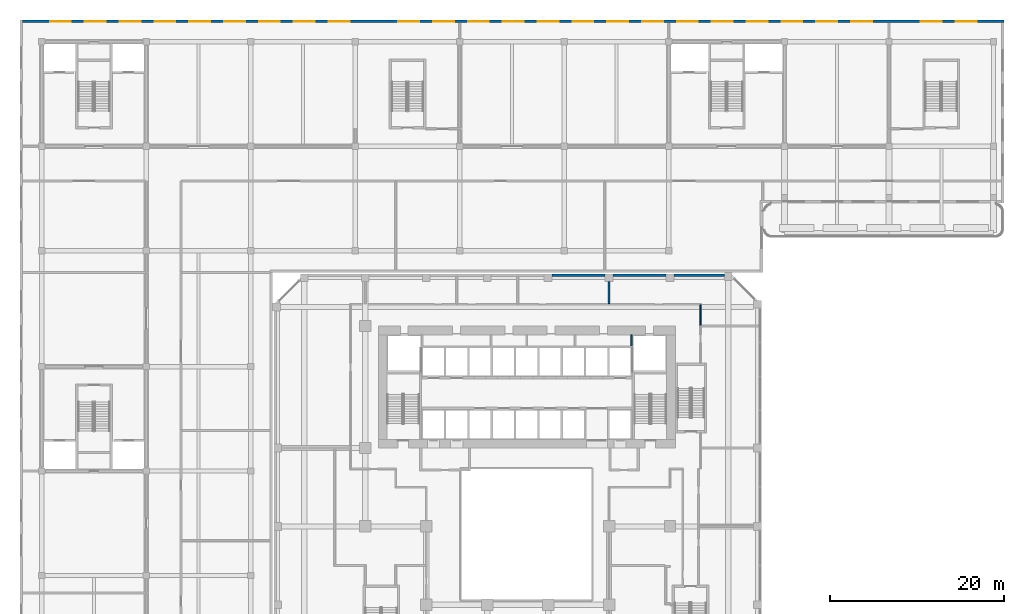
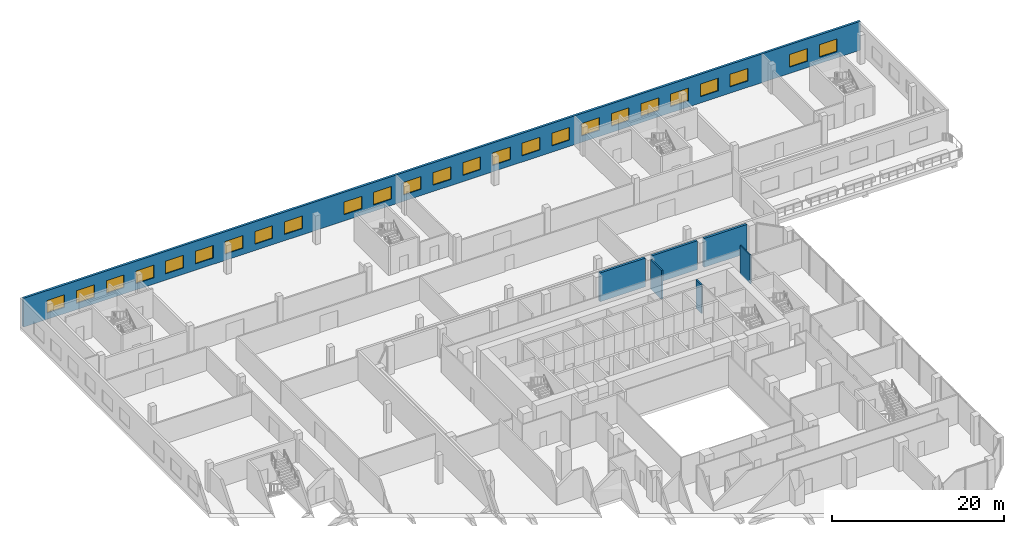
# One storey, part 24 of 36: 25 windows, 7 walls, 25 openings.
"""IFC4 building model written with IfcOpenShell, lengths in metres."""

from ifc_helpers import new_model, si_unit, direction, frame, frame_2d, origin, place, context, subcontext, project, spatial, rectangle, extrude, source, transform, mapped, material, layer, layer_set, type_object, element, fill, save


model = new_model("IFC4")

# Units and contexts
model_context = context("Model", 3, precision=1e-05, world=origin(), true_north=direction((0.0, 1.0)))
body_context = subcontext(model_context, "Body", "Model", "MODEL_VIEW")
ifc_project = project(units=[si_unit("LENGTHUNIT", "METRE"), si_unit("AREAUNIT", "SQUARE_METRE"), si_unit("VOLUMEUNIT", "CUBIC_METRE"), si_unit("PLANEANGLEUNIT", "RADIAN"), si_unit("MASSUNIT", "GRAM", prefix="KILO")], contexts=[model_context])

# Site, building, storey
site_placement = place(None, origin())
site = spatial("IfcSite", under=ifc_project, at=site_placement, CompositionType="ELEMENT")
building_placement = place(site_placement, origin())
building = spatial("IfcBuilding", under=site, at=building_placement, Name="Kilnfold Tower and Market Hall", CompositionType="ELEMENT")
storey_placement = place(building_placement, frame((0.0, 0.0, 18.0)))
storey = spatial("IfcBuildingStorey", under=building, at=storey_placement, Name="L03", CompositionType="ELEMENT", Elevation=18.0)

# Walls
ifc_material_1 = material(Name="Gypsum board on steel studs", Category="steel")
ifc_layer_1 = layer(ifc_material_1, 0.14990234375)
ifc_layer_set_1 = layer_set([ifc_layer_1], Name="Gypsum board on steel studs")
wall_type_1 = type_object("IfcWallType", Name="WALL CORRIDOR 150", PredefinedType="PARTITIONING", material=ifc_layer_set_1)
wall_1_placement = place(storey_placement, frame((21.0, 22.090087890625, 0.0), z_axis=(0.0, 0.0, 1.0), x_axis=(0.0, 1.0, 0.0)))
element("IfcWall", 1, at=wall_1_placement, inside=storey, type_object=wall_type_1, Name="Partition LY04.33", PredefinedType="PARTITIONING", context=body_context, shape_type="SweptSolid", body=[
    extrude(rectangle(XDim=2.3349609375, YDim=0.14990234375, at=frame_2d((1.16748046875, 0.0))), origin(), (0.0, 0.0, 1.0), 4.10009765625),
])
ifc_material_2 = material(Name="Gypsum board on steel studs", Category="steel")
ifc_layer_2 = layer(ifc_material_2, 0.199951171875)
ifc_layer_set_2 = layer_set([ifc_layer_2], Name="Gypsum board on steel studs")
wall_type_2 = type_object("IfcWallType", Name="WALL PARTY 200", PredefinedType="PARTITIONING", material=ifc_layer_set_2)
wall_2_placement = place(storey_placement, frame((10.5, 27.10009765625, 0.0), z_axis=(0.0, 0.0, 1.0), x_axis=(0.0, -1.0, 0.0)))
element("IfcWall", 2, at=wall_2_placement, inside=storey, type_object=wall_type_2, Name="Partition LY04.62", PredefinedType="PARTITIONING", context=body_context, shape_type="SweptSolid", body=[
    extrude(rectangle(XDim=2.524169921875, YDim=0.199951171875, at=frame_2d((1.26220703125, 0.0))), origin(), (0.0, 0.0, 1.0), 4.10009765625),
])
ifc_material_3 = material(Name="Precast concrete C50/60", Category="concrete")
ifc_layer_3 = layer(ifc_material_3, 0.300048828125)
ifc_layer_set_3 = layer_set([ifc_layer_3], Name="Precast concrete C50/60")
wall_type_3 = type_object("IfcWallType", Name="PRECAST WALL 300", PredefinedType="SOLIDWALL", material=ifc_layer_set_3)
shared_shape_1 = source(origin(), body_context, "Body", "SweptSolid", [
    extrude(rectangle(XDim=5.78173828125, YDim=0.300048828125, at=frame_2d((2.890869140625, 0.0))), origin(), (0.0, 0.0, 1.0), 4.10009765625),
])
wall_3_placement = place(storey_placement, frame((23.731689453125, 27.85009765625, 0.0), z_axis=(0.0, 0.0, 1.0), x_axis=(-1.0, 0.0, 0.0)))
element("IfcWall", 3, at=wall_3_placement, inside=storey, type_object=wall_type_3, Name="Party wall L03 N", PredefinedType="SOLIDWALL", context=body_context, shape_type="MappedRepresentation", body=[
    mapped(shared_shape_1, transform((0.0, 0.0, 0.0))),
])
shared_shape_2 = source(origin(), body_context, "Body", "SweptSolid", [
    extrude(rectangle(XDim=6.10009765625, YDim=0.300048828125, at=frame_2d((3.050048828125, 0.0))), origin(), (0.0, 0.0, 1.0), 4.10009765625),
])
for number, where, z_axis, x_axis, name in (
    (4, (17.050048828125, 27.85009765625, 0.0), (0.0, 0.0, 1.0), (-1.0, 0.0, 0.0), "Party wall L03 N"),
    (5, (10.050048828125, 27.85009765625, 0.0), (0.0, 0.0, 1.0), (-1.0, 0.0, 0.0), "Party wall L03 N"),
):
    element("IfcWall", number, at=place(storey_placement, frame(where, z_axis=z_axis, x_axis=x_axis)), inside=storey, type_object=wall_type_3, Name=name, PredefinedType="SOLIDWALL", context=body_context, shape_type="MappedRepresentation", body=[
        mapped(shared_shape_2, transform((0.0, 0.0, 0.0))),
    ])

# Wall, openings, windows
ifc_material_4 = material(Name="Concrete blockwork", Category="masonry")
ifc_layer_4 = layer(ifc_material_4, 0.300048828125)
ifc_layer_set_4 = layer_set([ifc_layer_4], Name="Concrete blockwork")
wall_type_4 = type_object("IfcWallType", Name="HALL EXTERNAL WALL 300 EI 60", PredefinedType="SOLIDWALL", material=ifc_layer_set_4)
shared_shape_3 = source(origin(), body_context, "Body", "SweptSolid", [
    extrude(rectangle(XDim=112.7001953125, YDim=0.300048828125, at=frame_2d((56.35009765625, 0.0))), origin(), (0.0, 0.0, 1.0), 4.10009765625),
])
wall_4_placement = place(storey_placement, frame((-56.85009765625, 57.0, 0.0), z_axis=(0.0, 0.0, 1.0), x_axis=(1.0, 0.0, 0.0)))
wall_4 = element("IfcWall", 6, at=wall_4_placement, inside=storey, type_object=wall_type_4, Name="External wall MEW-L03.2", PredefinedType="SOLIDWALL", context=body_context, shape_type="MappedRepresentation", body=[
    mapped(shared_shape_3, transform((0.0, 0.0, 0.0))),
])
opening_1_placement = place(wall_4_placement, frame((3.14990234375, 0.0, 0.89990234375)))
opening_1 = element("IfcOpeningElement", 7, at=opening_1_placement, cuts=wall_4, Name="Opening MEN3", PredefinedType="OPENING", context=body_context, shape_type="SweptSolid", body=[
    extrude(rectangle(XDim=2.39990234375, YDim=1.800048828125, at=frame_2d((1.199951171875, 0.89990234375))), frame((0.0, 0.16015625, 0.0), z_axis=(0.0, -1.0, 0.0), x_axis=(1.0, 0.0, 0.0)), (0.0, 0.0, 1.0), 0.320068359375),
])
opening_2_placement = place(wall_4_placement, frame((7.14990234375, 0.0, 0.89990234375)))
opening_2 = element("IfcOpeningElement", 8, at=opening_2_placement, cuts=wall_4, Name="Opening MEN3", PredefinedType="OPENING", context=body_context, shape_type="SweptSolid", body=[
    extrude(rectangle(XDim=2.39990234375, YDim=1.800048828125, at=frame_2d((1.199951171875, 0.89990234375))), frame((0.0, 0.16015625, 0.0), z_axis=(0.0, -1.0, 0.0), x_axis=(1.0, 0.0, 0.0)), (0.0, 0.0, 1.0), 0.320068359375),
])
opening_3_placement = place(wall_4_placement, frame((11.14990234375, 0.0, 0.89990234375)))
opening_3 = element("IfcOpeningElement", 9, at=opening_3_placement, cuts=wall_4, Name="Opening MEN3", PredefinedType="OPENING", context=body_context, shape_type="SweptSolid", body=[
    extrude(rectangle(XDim=2.39990234375, YDim=1.800048828125, at=frame_2d((1.199951171875, 0.89990234375))), frame((0.0, 0.16015625, 0.0), z_axis=(0.0, -1.0, 0.0), x_axis=(1.0, 0.0, 0.0)), (0.0, 0.0, 1.0), 0.320068359375),
])
opening_4_placement = place(wall_4_placement, frame((15.14990234375, 0.0, 0.89990234375)))
opening_4 = element("IfcOpeningElement", 10, at=opening_4_placement, cuts=wall_4, Name="Opening MEN3", PredefinedType="OPENING", context=body_context, shape_type="SweptSolid", body=[
    extrude(rectangle(XDim=2.39990234375, YDim=1.800048828125, at=frame_2d((1.199951171875, 0.89990234375))), frame((0.0, 0.16015625, 0.0), z_axis=(0.0, -1.0, 0.0), x_axis=(1.0, 0.0, 0.0)), (0.0, 0.0, 1.0), 0.320068359375),
])
opening_5_placement = place(wall_4_placement, frame((19.14990234375, 0.0, 0.89990234375)))
opening_5 = element("IfcOpeningElement", 11, at=opening_5_placement, cuts=wall_4, Name="Opening MEN3", PredefinedType="OPENING", context=body_context, shape_type="SweptSolid", body=[
    extrude(rectangle(XDim=2.39990234375, YDim=1.800048828125, at=frame_2d((1.199951171875, 0.89990234375))), frame((0.0, 0.16015625, 0.0), z_axis=(0.0, -1.0, 0.0), x_axis=(1.0, 0.0, 0.0)), (0.0, 0.0, 1.0), 0.320068359375),
])
opening_6_placement = place(wall_4_placement, frame((23.14990234375, 0.0, 0.89990234375)))
opening_6 = element("IfcOpeningElement", 12, at=opening_6_placement, cuts=wall_4, Name="Opening MEN3", PredefinedType="OPENING", context=body_context, shape_type="SweptSolid", body=[
    extrude(rectangle(XDim=2.39990234375, YDim=1.800048828125, at=frame_2d((1.199951171875, 0.89990234375))), frame((0.0, 0.16015625, 0.0), z_axis=(0.0, -1.0, 0.0), x_axis=(1.0, 0.0, 0.0)), (0.0, 0.0, 1.0), 0.320068359375),
])
opening_7_placement = place(wall_4_placement, frame((27.14990234375, 0.0, 0.89990234375)))
opening_7 = element("IfcOpeningElement", 13, at=opening_7_placement, cuts=wall_4, Name="Opening MEN3", PredefinedType="OPENING", context=body_context, shape_type="SweptSolid", body=[
    extrude(rectangle(XDim=2.39990234375, YDim=1.800048828125, at=frame_2d((1.199951171875, 0.89990234375))), frame((0.0, 0.16015625, 0.0), z_axis=(0.0, -1.0, 0.0), x_axis=(1.0, 0.0, 0.0)), (0.0, 0.0, 1.0), 0.320068359375),
])
opening_8_placement = place(wall_4_placement, frame((31.14990234375, 0.0, 0.89990234375)))
opening_8 = element("IfcOpeningElement", 14, at=opening_8_placement, cuts=wall_4, Name="Opening MEN3", PredefinedType="OPENING", context=body_context, shape_type="SweptSolid", body=[
    extrude(rectangle(XDim=2.39990234375, YDim=1.800048828125, at=frame_2d((1.199951171875, 0.89990234375))), frame((0.0, 0.16015625, 0.0), z_axis=(0.0, -1.0, 0.0), x_axis=(1.0, 0.0, 0.0)), (0.0, 0.0, 1.0), 0.320068359375),
])
opening_9_placement = place(wall_4_placement, frame((35.14990234375, 0.0, 0.89990234375)))
opening_9 = element("IfcOpeningElement", 15, at=opening_9_placement, cuts=wall_4, Name="Opening MEN3", PredefinedType="OPENING", context=body_context, shape_type="SweptSolid", body=[
    extrude(rectangle(XDim=2.39990234375, YDim=1.800048828125, at=frame_2d((1.199951171875, 0.89990234375))), frame((0.0, 0.16015625, 0.0), z_axis=(0.0, -1.0, 0.0), x_axis=(1.0, 0.0, 0.0)), (0.0, 0.0, 1.0), 0.320068359375),
])
opening_10_placement = place(wall_4_placement, frame((43.14990234375, 0.0, 0.89990234375)))
opening_10 = element("IfcOpeningElement", 16, at=opening_10_placement, cuts=wall_4, Name="Opening MEN3", PredefinedType="OPENING", context=body_context, shape_type="SweptSolid", body=[
    extrude(rectangle(XDim=2.39990234375, YDim=1.800048828125, at=frame_2d((1.199951171875, 0.89990234375))), frame((0.0, 0.16015625, 0.0), z_axis=(0.0, -1.0, 0.0), x_axis=(1.0, 0.0, 0.0)), (0.0, 0.0, 1.0), 0.320068359375),
])
opening_11_placement = place(wall_4_placement, frame((47.14990234375, 0.0, 0.89990234375)))
opening_11 = element("IfcOpeningElement", 17, at=opening_11_placement, cuts=wall_4, Name="Opening MEN3", PredefinedType="OPENING", context=body_context, shape_type="SweptSolid", body=[
    extrude(rectangle(XDim=2.39990234375, YDim=1.800048828125, at=frame_2d((1.199951171875, 0.89990234375))), frame((0.0, 0.16015625, 0.0), z_axis=(0.0, -1.0, 0.0), x_axis=(1.0, 0.0, 0.0)), (0.0, 0.0, 1.0), 0.320068359375),
])
opening_12_placement = place(wall_4_placement, frame((51.14990234375, 0.0, 0.89990234375)))
opening_12 = element("IfcOpeningElement", 18, at=opening_12_placement, cuts=wall_4, Name="Opening MEN3", PredefinedType="OPENING", context=body_context, shape_type="SweptSolid", body=[
    extrude(rectangle(XDim=2.39990234375, YDim=1.800048828125, at=frame_2d((1.199951171875, 0.89990234375))), frame((0.0, 0.16015625, 0.0), z_axis=(0.0, -1.0, 0.0), x_axis=(1.0, 0.0, 0.0)), (0.0, 0.0, 1.0), 0.320068359375),
])
opening_13_placement = place(wall_4_placement, frame((55.14990234375, 0.0, 0.89990234375)))
opening_13 = element("IfcOpeningElement", 19, at=opening_13_placement, cuts=wall_4, Name="Opening MEN3", PredefinedType="OPENING", context=body_context, shape_type="SweptSolid", body=[
    extrude(rectangle(XDim=2.39990234375, YDim=1.800048828125, at=frame_2d((1.199951171875, 0.89990234375))), frame((0.0, 0.16015625, 0.0), z_axis=(0.0, -1.0, 0.0), x_axis=(1.0, 0.0, 0.0)), (0.0, 0.0, 1.0), 0.320068359375),
])
opening_14_placement = place(wall_4_placement, frame((59.14990234375, 0.0, 0.89990234375)))
opening_14 = element("IfcOpeningElement", 20, at=opening_14_placement, cuts=wall_4, Name="Opening MEN3", PredefinedType="OPENING", context=body_context, shape_type="SweptSolid", body=[
    extrude(rectangle(XDim=2.39990234375, YDim=1.800048828125, at=frame_2d((1.199951171875, 0.89990234375))), frame((0.0, 0.16015625, 0.0), z_axis=(0.0, -1.0, 0.0), x_axis=(1.0, 0.0, 0.0)), (0.0, 0.0, 1.0), 0.320068359375),
])
opening_15_placement = place(wall_4_placement, frame((63.14990234375, 0.0, 0.89990234375)))
opening_15 = element("IfcOpeningElement", 21, at=opening_15_placement, cuts=wall_4, Name="Opening MEN3", PredefinedType="OPENING", context=body_context, shape_type="SweptSolid", body=[
    extrude(rectangle(XDim=2.39990234375, YDim=1.800048828125, at=frame_2d((1.199951171875, 0.89990234375))), frame((0.0, 0.16015625, 0.0), z_axis=(0.0, -1.0, 0.0), x_axis=(1.0, 0.0, 0.0)), (0.0, 0.0, 1.0), 0.320068359375),
])
opening_16_placement = place(wall_4_placement, frame((67.14990234375, 0.0, 0.89990234375)))
opening_16 = element("IfcOpeningElement", 22, at=opening_16_placement, cuts=wall_4, Name="Opening MEN3", PredefinedType="OPENING", context=body_context, shape_type="SweptSolid", body=[
    extrude(rectangle(XDim=2.39990234375, YDim=1.800048828125, at=frame_2d((1.199951171875, 0.89990234375))), frame((0.0, 0.16015625, 0.0), z_axis=(0.0, -1.0, 0.0), x_axis=(1.0, 0.0, 0.0)), (0.0, 0.0, 1.0), 0.320068359375),
])
opening_17_placement = place(wall_4_placement, frame((71.14990234375, 0.0, 0.89990234375)))
opening_17 = element("IfcOpeningElement", 23, at=opening_17_placement, cuts=wall_4, Name="Opening MEN3", PredefinedType="OPENING", context=body_context, shape_type="SweptSolid", body=[
    extrude(rectangle(XDim=2.39990234375, YDim=1.800048828125, at=frame_2d((1.199951171875, 0.89990234375))), frame((0.0, 0.16015625, 0.0), z_axis=(0.0, -1.0, 0.0), x_axis=(1.0, 0.0, 0.0)), (0.0, 0.0, 1.0), 0.320068359375),
])
opening_18_placement = place(wall_4_placement, frame((75.14990234375, 0.0, 0.89990234375)))
opening_18 = element("IfcOpeningElement", 24, at=opening_18_placement, cuts=wall_4, Name="Opening MEN3", PredefinedType="OPENING", context=body_context, shape_type="SweptSolid", body=[
    extrude(rectangle(XDim=2.39990234375, YDim=1.800048828125, at=frame_2d((1.199951171875, 0.89990234375))), frame((0.0, 0.16015625, 0.0), z_axis=(0.0, -1.0, 0.0), x_axis=(1.0, 0.0, 0.0)), (0.0, 0.0, 1.0), 0.320068359375),
])
opening_19_placement = place(wall_4_placement, frame((79.14990234375, 0.0, 0.89990234375)))
opening_19 = element("IfcOpeningElement", 25, at=opening_19_placement, cuts=wall_4, Name="Opening MEN3", PredefinedType="OPENING", context=body_context, shape_type="SweptSolid", body=[
    extrude(rectangle(XDim=2.39990234375, YDim=1.800048828125, at=frame_2d((1.199951171875, 0.89990234375))), frame((0.0, 0.16015625, 0.0), z_axis=(0.0, -1.0, 0.0), x_axis=(1.0, 0.0, 0.0)), (0.0, 0.0, 1.0), 0.320068359375),
])
opening_20_placement = place(wall_4_placement, frame((83.14990234375, 0.0, 0.89990234375)))
opening_20 = element("IfcOpeningElement", 26, at=opening_20_placement, cuts=wall_4, Name="Opening MEN3", PredefinedType="OPENING", context=body_context, shape_type="SweptSolid", body=[
    extrude(rectangle(XDim=2.39990234375, YDim=1.800048828125, at=frame_2d((1.199951171875, 0.89990234375))), frame((0.0, 0.16015625, 0.0), z_axis=(0.0, -1.0, 0.0), x_axis=(1.0, 0.0, 0.0)), (0.0, 0.0, 1.0), 0.320068359375),
])
opening_21_placement = place(wall_4_placement, frame((87.14990234375, 0.0, 0.89990234375)))
opening_21 = element("IfcOpeningElement", 27, at=opening_21_placement, cuts=wall_4, Name="Opening MEN3", PredefinedType="OPENING", context=body_context, shape_type="SweptSolid", body=[
    extrude(rectangle(XDim=2.39990234375, YDim=1.800048828125, at=frame_2d((1.199951171875, 0.89990234375))), frame((0.0, 0.16015625, 0.0), z_axis=(0.0, -1.0, 0.0), x_axis=(1.0, 0.0, 0.0)), (0.0, 0.0, 1.0), 0.320068359375),
])
opening_22_placement = place(wall_4_placement, frame((91.14990234375, 0.0, 0.89990234375)))
opening_22 = element("IfcOpeningElement", 28, at=opening_22_placement, cuts=wall_4, Name="Opening MEN3", PredefinedType="OPENING", context=body_context, shape_type="SweptSolid", body=[
    extrude(rectangle(XDim=2.39990234375, YDim=1.800048828125, at=frame_2d((1.199951171875, 0.89990234375))), frame((0.0, 0.16015625, 0.0), z_axis=(0.0, -1.0, 0.0), x_axis=(1.0, 0.0, 0.0)), (0.0, 0.0, 1.0), 0.320068359375),
])
opening_23_placement = place(wall_4_placement, frame((95.14990234375, 0.0, 0.89990234375)))
opening_23 = element("IfcOpeningElement", 29, at=opening_23_placement, cuts=wall_4, Name="Opening MEN3", PredefinedType="OPENING", context=body_context, shape_type="SweptSolid", body=[
    extrude(rectangle(XDim=2.39990234375, YDim=1.800048828125, at=frame_2d((1.199951171875, 0.89990234375))), frame((0.0, 0.16015625, 0.0), z_axis=(0.0, -1.0, 0.0), x_axis=(1.0, 0.0, 0.0)), (0.0, 0.0, 1.0), 0.320068359375),
])
opening_24_placement = place(wall_4_placement, frame((103.14990234375, 0.0, 0.89990234375)))
opening_24 = element("IfcOpeningElement", 30, at=opening_24_placement, cuts=wall_4, Name="Opening MEN3", PredefinedType="OPENING", context=body_context, shape_type="SweptSolid", body=[
    extrude(rectangle(XDim=2.39990234375, YDim=1.800048828125, at=frame_2d((1.199951171875, 0.89990234375))), frame((0.0, 0.16015625, 0.0), z_axis=(0.0, -1.0, 0.0), x_axis=(1.0, 0.0, 0.0)), (0.0, 0.0, 1.0), 0.320068359375),
])
opening_25_placement = place(wall_4_placement, frame((107.14990234375, 0.0, 0.89990234375)))
opening_25 = element("IfcOpeningElement", 31, at=opening_25_placement, cuts=wall_4, Name="Opening MEN3", PredefinedType="OPENING", context=body_context, shape_type="SweptSolid", body=[
    extrude(rectangle(XDim=2.39990234375, YDim=1.800048828125, at=frame_2d((1.199951171875, 0.89990234375))), frame((0.0, 0.16015625, 0.0), z_axis=(0.0, -1.0, 0.0), x_axis=(1.0, 0.0, 0.0)), (0.0, 0.0, 1.0), 0.320068359375),
])
ifc_material_5 = material(Name="Aluminium glazing", Category="aluminium")
window_type = type_object("IfcWindowType", Name="HALL WINDOW 2400X1800", PartitioningType="SINGLE_PANEL", PredefinedType="WINDOW", material=ifc_material_5)
window_1_placement = place(opening_1_placement, origin())
window_1 = element("IfcWindow", 32, at=window_1_placement, inside=storey, type_object=window_type, Name="Window upper", OverallHeight=1.800048828125, OverallWidth=2.39990234375, PartitioningType="SINGLE_PANEL", PredefinedType="WINDOW", context=body_context, shape_type="SweptSolid", body=[
    extrude(rectangle(XDim=2.39990234375, YDim=1.800048828125, at=frame_2d((1.199951171875, 0.89990234375))), frame((0.0, 0.030029296875, 0.0), z_axis=(0.0, -1.0, 0.0), x_axis=(1.0, 0.0, 0.0)), (0.0, 0.0, 1.0), 0.06005859375),
])
fill(opening_1, window_1)
window_2_placement = place(opening_2_placement, origin())
window_2 = element("IfcWindow", 33, at=window_2_placement, inside=storey, type_object=window_type, Name="Window upper", OverallHeight=1.800048828125, OverallWidth=2.39990234375, PartitioningType="SINGLE_PANEL", PredefinedType="WINDOW", context=body_context, shape_type="SweptSolid", body=[
    extrude(rectangle(XDim=2.39990234375, YDim=1.800048828125, at=frame_2d((1.199951171875, 0.89990234375))), frame((0.0, 0.030029296875, 0.0), z_axis=(0.0, -1.0, 0.0), x_axis=(1.0, 0.0, 0.0)), (0.0, 0.0, 1.0), 0.06005859375),
])
fill(opening_2, window_2)
window_3_placement = place(opening_3_placement, origin())
window_3 = element("IfcWindow", 34, at=window_3_placement, inside=storey, type_object=window_type, Name="Window upper", OverallHeight=1.800048828125, OverallWidth=2.39990234375, PartitioningType="SINGLE_PANEL", PredefinedType="WINDOW", context=body_context, shape_type="SweptSolid", body=[
    extrude(rectangle(XDim=2.39990234375, YDim=1.800048828125, at=frame_2d((1.199951171875, 0.89990234375))), frame((0.0, 0.030029296875, 0.0), z_axis=(0.0, -1.0, 0.0), x_axis=(1.0, 0.0, 0.0)), (0.0, 0.0, 1.0), 0.06005859375),
])
fill(opening_3, window_3)
window_4_placement = place(opening_4_placement, origin())
window_4 = element("IfcWindow", 35, at=window_4_placement, inside=storey, type_object=window_type, Name="Window upper", OverallHeight=1.800048828125, OverallWidth=2.39990234375, PartitioningType="SINGLE_PANEL", PredefinedType="WINDOW", context=body_context, shape_type="SweptSolid", body=[
    extrude(rectangle(XDim=2.39990234375, YDim=1.800048828125, at=frame_2d((1.199951171875, 0.89990234375))), frame((0.0, 0.030029296875, 0.0), z_axis=(0.0, -1.0, 0.0), x_axis=(1.0, 0.0, 0.0)), (0.0, 0.0, 1.0), 0.06005859375),
])
fill(opening_4, window_4)
window_5_placement = place(opening_5_placement, origin())
window_5 = element("IfcWindow", 36, at=window_5_placement, inside=storey, type_object=window_type, Name="Window upper", OverallHeight=1.800048828125, OverallWidth=2.39990234375, PartitioningType="SINGLE_PANEL", PredefinedType="WINDOW", context=body_context, shape_type="SweptSolid", body=[
    extrude(rectangle(XDim=2.39990234375, YDim=1.800048828125, at=frame_2d((1.199951171875, 0.89990234375))), frame((0.0, 0.030029296875, 0.0), z_axis=(0.0, -1.0, 0.0), x_axis=(1.0, 0.0, 0.0)), (0.0, 0.0, 1.0), 0.06005859375),
])
fill(opening_5, window_5)
window_6_placement = place(opening_6_placement, origin())
window_6 = element("IfcWindow", 37, at=window_6_placement, inside=storey, type_object=window_type, Name="Window upper", OverallHeight=1.800048828125, OverallWidth=2.39990234375, PartitioningType="SINGLE_PANEL", PredefinedType="WINDOW", context=body_context, shape_type="SweptSolid", body=[
    extrude(rectangle(XDim=2.39990234375, YDim=1.800048828125, at=frame_2d((1.199951171875, 0.89990234375))), frame((0.0, 0.030029296875, 0.0), z_axis=(0.0, -1.0, 0.0), x_axis=(1.0, 0.0, 0.0)), (0.0, 0.0, 1.0), 0.06005859375),
])
fill(opening_6, window_6)
window_7_placement = place(opening_7_placement, origin())
window_7 = element("IfcWindow", 38, at=window_7_placement, inside=storey, type_object=window_type, Name="Window upper", OverallHeight=1.800048828125, OverallWidth=2.39990234375, PartitioningType="SINGLE_PANEL", PredefinedType="WINDOW", context=body_context, shape_type="SweptSolid", body=[
    extrude(rectangle(XDim=2.39990234375, YDim=1.800048828125, at=frame_2d((1.199951171875, 0.89990234375))), frame((0.0, 0.030029296875, 0.0), z_axis=(0.0, -1.0, 0.0), x_axis=(1.0, 0.0, 0.0)), (0.0, 0.0, 1.0), 0.06005859375),
])
fill(opening_7, window_7)
window_8_placement = place(opening_8_placement, origin())
window_8 = element("IfcWindow", 39, at=window_8_placement, inside=storey, type_object=window_type, Name="Window upper", OverallHeight=1.800048828125, OverallWidth=2.39990234375, PartitioningType="SINGLE_PANEL", PredefinedType="WINDOW", context=body_context, shape_type="SweptSolid", body=[
    extrude(rectangle(XDim=2.39990234375, YDim=1.800048828125, at=frame_2d((1.199951171875, 0.89990234375))), frame((0.0, 0.030029296875, 0.0), z_axis=(0.0, -1.0, 0.0), x_axis=(1.0, 0.0, 0.0)), (0.0, 0.0, 1.0), 0.06005859375),
])
fill(opening_8, window_8)
window_9_placement = place(opening_9_placement, origin())
window_9 = element("IfcWindow", 40, at=window_9_placement, inside=storey, type_object=window_type, Name="Window upper", OverallHeight=1.800048828125, OverallWidth=2.39990234375, PartitioningType="SINGLE_PANEL", PredefinedType="WINDOW", context=body_context, shape_type="SweptSolid", body=[
    extrude(rectangle(XDim=2.39990234375, YDim=1.800048828125, at=frame_2d((1.199951171875, 0.89990234375))), frame((0.0, 0.030029296875, 0.0), z_axis=(0.0, -1.0, 0.0), x_axis=(1.0, 0.0, 0.0)), (0.0, 0.0, 1.0), 0.06005859375),
])
fill(opening_9, window_9)
window_10_placement = place(opening_10_placement, origin())
window_10 = element("IfcWindow", 41, at=window_10_placement, inside=storey, type_object=window_type, Name="Window upper", OverallHeight=1.800048828125, OverallWidth=2.39990234375, PartitioningType="SINGLE_PANEL", PredefinedType="WINDOW", context=body_context, shape_type="SweptSolid", body=[
    extrude(rectangle(XDim=2.39990234375, YDim=1.800048828125, at=frame_2d((1.199951171875, 0.89990234375))), frame((0.0, 0.030029296875, 0.0), z_axis=(0.0, -1.0, 0.0), x_axis=(1.0, 0.0, 0.0)), (0.0, 0.0, 1.0), 0.06005859375),
])
fill(opening_10, window_10)
window_11_placement = place(opening_11_placement, origin())
window_11 = element("IfcWindow", 42, at=window_11_placement, inside=storey, type_object=window_type, Name="Window upper", OverallHeight=1.800048828125, OverallWidth=2.39990234375, PartitioningType="SINGLE_PANEL", PredefinedType="WINDOW", context=body_context, shape_type="SweptSolid", body=[
    extrude(rectangle(XDim=2.39990234375, YDim=1.800048828125, at=frame_2d((1.199951171875, 0.89990234375))), frame((0.0, 0.030029296875, 0.0), z_axis=(0.0, -1.0, 0.0), x_axis=(1.0, 0.0, 0.0)), (0.0, 0.0, 1.0), 0.06005859375),
])
fill(opening_11, window_11)
window_12_placement = place(opening_12_placement, origin())
window_12 = element("IfcWindow", 43, at=window_12_placement, inside=storey, type_object=window_type, Name="Window upper", OverallHeight=1.800048828125, OverallWidth=2.39990234375, PartitioningType="SINGLE_PANEL", PredefinedType="WINDOW", context=body_context, shape_type="SweptSolid", body=[
    extrude(rectangle(XDim=2.39990234375, YDim=1.800048828125, at=frame_2d((1.199951171875, 0.89990234375))), frame((0.0, 0.030029296875, 0.0), z_axis=(0.0, -1.0, 0.0), x_axis=(1.0, 0.0, 0.0)), (0.0, 0.0, 1.0), 0.06005859375),
])
fill(opening_12, window_12)
window_13_placement = place(opening_13_placement, origin())
window_13 = element("IfcWindow", 44, at=window_13_placement, inside=storey, type_object=window_type, Name="Window upper", OverallHeight=1.800048828125, OverallWidth=2.39990234375, PartitioningType="SINGLE_PANEL", PredefinedType="WINDOW", context=body_context, shape_type="SweptSolid", body=[
    extrude(rectangle(XDim=2.39990234375, YDim=1.800048828125, at=frame_2d((1.199951171875, 0.89990234375))), frame((0.0, 0.030029296875, 0.0), z_axis=(0.0, -1.0, 0.0), x_axis=(1.0, 0.0, 0.0)), (0.0, 0.0, 1.0), 0.06005859375),
])
fill(opening_13, window_13)
window_14_placement = place(opening_14_placement, origin())
window_14 = element("IfcWindow", 45, at=window_14_placement, inside=storey, type_object=window_type, Name="Window upper", OverallHeight=1.800048828125, OverallWidth=2.39990234375, PartitioningType="SINGLE_PANEL", PredefinedType="WINDOW", context=body_context, shape_type="SweptSolid", body=[
    extrude(rectangle(XDim=2.39990234375, YDim=1.800048828125, at=frame_2d((1.199951171875, 0.89990234375))), frame((0.0, 0.030029296875, 0.0), z_axis=(0.0, -1.0, 0.0), x_axis=(1.0, 0.0, 0.0)), (0.0, 0.0, 1.0), 0.06005859375),
])
fill(opening_14, window_14)
window_15_placement = place(opening_15_placement, origin())
window_15 = element("IfcWindow", 46, at=window_15_placement, inside=storey, type_object=window_type, Name="Window upper", OverallHeight=1.800048828125, OverallWidth=2.39990234375, PartitioningType="SINGLE_PANEL", PredefinedType="WINDOW", context=body_context, shape_type="SweptSolid", body=[
    extrude(rectangle(XDim=2.39990234375, YDim=1.800048828125, at=frame_2d((1.199951171875, 0.89990234375))), frame((0.0, 0.030029296875, 0.0), z_axis=(0.0, -1.0, 0.0), x_axis=(1.0, 0.0, 0.0)), (0.0, 0.0, 1.0), 0.06005859375),
])
fill(opening_15, window_15)
window_16_placement = place(opening_16_placement, origin())
window_16 = element("IfcWindow", 47, at=window_16_placement, inside=storey, type_object=window_type, Name="Window upper", OverallHeight=1.800048828125, OverallWidth=2.39990234375, PartitioningType="SINGLE_PANEL", PredefinedType="WINDOW", context=body_context, shape_type="SweptSolid", body=[
    extrude(rectangle(XDim=2.39990234375, YDim=1.800048828125, at=frame_2d((1.199951171875, 0.89990234375))), frame((0.0, 0.030029296875, 0.0), z_axis=(0.0, -1.0, 0.0), x_axis=(1.0, 0.0, 0.0)), (0.0, 0.0, 1.0), 0.06005859375),
])
fill(opening_16, window_16)
window_17_placement = place(opening_17_placement, origin())
window_17 = element("IfcWindow", 48, at=window_17_placement, inside=storey, type_object=window_type, Name="Window upper", OverallHeight=1.800048828125, OverallWidth=2.39990234375, PartitioningType="SINGLE_PANEL", PredefinedType="WINDOW", context=body_context, shape_type="SweptSolid", body=[
    extrude(rectangle(XDim=2.39990234375, YDim=1.800048828125, at=frame_2d((1.199951171875, 0.89990234375))), frame((0.0, 0.030029296875, 0.0), z_axis=(0.0, -1.0, 0.0), x_axis=(1.0, 0.0, 0.0)), (0.0, 0.0, 1.0), 0.06005859375),
])
fill(opening_17, window_17)
window_18_placement = place(opening_18_placement, origin())
window_18 = element("IfcWindow", 49, at=window_18_placement, inside=storey, type_object=window_type, Name="Window upper", OverallHeight=1.800048828125, OverallWidth=2.39990234375, PartitioningType="SINGLE_PANEL", PredefinedType="WINDOW", context=body_context, shape_type="SweptSolid", body=[
    extrude(rectangle(XDim=2.39990234375, YDim=1.800048828125, at=frame_2d((1.199951171875, 0.89990234375))), frame((0.0, 0.030029296875, 0.0), z_axis=(0.0, -1.0, 0.0), x_axis=(1.0, 0.0, 0.0)), (0.0, 0.0, 1.0), 0.06005859375),
])
fill(opening_18, window_18)
window_19_placement = place(opening_19_placement, origin())
window_19 = element("IfcWindow", 50, at=window_19_placement, inside=storey, type_object=window_type, Name="Window upper", OverallHeight=1.800048828125, OverallWidth=2.39990234375, PartitioningType="SINGLE_PANEL", PredefinedType="WINDOW", context=body_context, shape_type="SweptSolid", body=[
    extrude(rectangle(XDim=2.39990234375, YDim=1.800048828125, at=frame_2d((1.199951171875, 0.89990234375))), frame((0.0, 0.030029296875, 0.0), z_axis=(0.0, -1.0, 0.0), x_axis=(1.0, 0.0, 0.0)), (0.0, 0.0, 1.0), 0.06005859375),
])
fill(opening_19, window_19)
window_20_placement = place(opening_20_placement, origin())
window_20 = element("IfcWindow", 51, at=window_20_placement, inside=storey, type_object=window_type, Name="Window upper", OverallHeight=1.800048828125, OverallWidth=2.39990234375, PartitioningType="SINGLE_PANEL", PredefinedType="WINDOW", context=body_context, shape_type="SweptSolid", body=[
    extrude(rectangle(XDim=2.39990234375, YDim=1.800048828125, at=frame_2d((1.199951171875, 0.89990234375))), frame((0.0, 0.030029296875, 0.0), z_axis=(0.0, -1.0, 0.0), x_axis=(1.0, 0.0, 0.0)), (0.0, 0.0, 1.0), 0.06005859375),
])
fill(opening_20, window_20)
window_21_placement = place(opening_21_placement, origin())
window_21 = element("IfcWindow", 52, at=window_21_placement, inside=storey, type_object=window_type, Name="Window upper", OverallHeight=1.800048828125, OverallWidth=2.39990234375, PartitioningType="SINGLE_PANEL", PredefinedType="WINDOW", context=body_context, shape_type="SweptSolid", body=[
    extrude(rectangle(XDim=2.39990234375, YDim=1.800048828125, at=frame_2d((1.199951171875, 0.89990234375))), frame((0.0, 0.030029296875, 0.0), z_axis=(0.0, -1.0, 0.0), x_axis=(1.0, 0.0, 0.0)), (0.0, 0.0, 1.0), 0.06005859375),
])
fill(opening_21, window_21)
window_22_placement = place(opening_22_placement, origin())
window_22 = element("IfcWindow", 53, at=window_22_placement, inside=storey, type_object=window_type, Name="Window upper", OverallHeight=1.800048828125, OverallWidth=2.39990234375, PartitioningType="SINGLE_PANEL", PredefinedType="WINDOW", context=body_context, shape_type="SweptSolid", body=[
    extrude(rectangle(XDim=2.39990234375, YDim=1.800048828125, at=frame_2d((1.199951171875, 0.89990234375))), frame((0.0, 0.030029296875, 0.0), z_axis=(0.0, -1.0, 0.0), x_axis=(1.0, 0.0, 0.0)), (0.0, 0.0, 1.0), 0.06005859375),
])
fill(opening_22, window_22)
window_23_placement = place(opening_23_placement, origin())
window_23 = element("IfcWindow", 54, at=window_23_placement, inside=storey, type_object=window_type, Name="Window upper", OverallHeight=1.800048828125, OverallWidth=2.39990234375, PartitioningType="SINGLE_PANEL", PredefinedType="WINDOW", context=body_context, shape_type="SweptSolid", body=[
    extrude(rectangle(XDim=2.39990234375, YDim=1.800048828125, at=frame_2d((1.199951171875, 0.89990234375))), frame((0.0, 0.030029296875, 0.0), z_axis=(0.0, -1.0, 0.0), x_axis=(1.0, 0.0, 0.0)), (0.0, 0.0, 1.0), 0.06005859375),
])
fill(opening_23, window_23)
window_24_placement = place(opening_24_placement, origin())
window_24 = element("IfcWindow", 55, at=window_24_placement, inside=storey, type_object=window_type, Name="Window upper", OverallHeight=1.800048828125, OverallWidth=2.39990234375, PartitioningType="SINGLE_PANEL", PredefinedType="WINDOW", context=body_context, shape_type="SweptSolid", body=[
    extrude(rectangle(XDim=2.39990234375, YDim=1.800048828125, at=frame_2d((1.199951171875, 0.89990234375))), frame((0.0, 0.030029296875, 0.0), z_axis=(0.0, -1.0, 0.0), x_axis=(1.0, 0.0, 0.0)), (0.0, 0.0, 1.0), 0.06005859375),
])
fill(opening_24, window_24)
window_25_placement = place(opening_25_placement, origin())
window_25 = element("IfcWindow", 56, at=window_25_placement, inside=storey, type_object=window_type, Name="Window upper", OverallHeight=1.800048828125, OverallWidth=2.39990234375, PartitioningType="SINGLE_PANEL", PredefinedType="WINDOW", context=body_context, shape_type="SweptSolid", body=[
    extrude(rectangle(XDim=2.39990234375, YDim=1.800048828125, at=frame_2d((1.199951171875, 0.89990234375))), frame((0.0, 0.030029296875, 0.0), z_axis=(0.0, -1.0, 0.0), x_axis=(1.0, 0.0, 0.0)), (0.0, 0.0, 1.0), 0.06005859375),
])
fill(opening_25, window_25)

# Wall
ifc_material_6 = material(Name="Gypsum shaft wall system")
ifc_layer_5 = layer(ifc_material_6, 0.1650390625)
ifc_layer_set_5 = layer_set([ifc_layer_5], Name="Gypsum shaft wall system")
wall_type_5 = type_object("IfcWallType", Name="SHAFT WALL 165", PredefinedType="PARTITIONING", material=ifc_layer_set_5)
shared_shape_4 = source(origin(), body_context, "Body", "SweptSolid", [
    extrude(rectangle(XDim=1.27490234375, YDim=0.1650390625, at=frame_2d((0.637451171875, 0.0))), origin(), (0.0, 0.0, 1.0), 4.10009765625),
])
wall_5_placement = place(storey_placement, frame((13.0673828125, 19.72509765625, 0.0), z_axis=(0.0, 0.0, 1.0), x_axis=(0.0, 1.0, 0.0)))
element("IfcWall", 57, at=wall_5_placement, inside=storey, type_object=wall_type_5, Name="Lift shaft wall", PredefinedType="PARTITIONING", context=body_context, shape_type="MappedRepresentation", body=[
    mapped(shared_shape_4, transform((0.0, 0.0, 0.0))),
])

save(model, "model.ifc")
